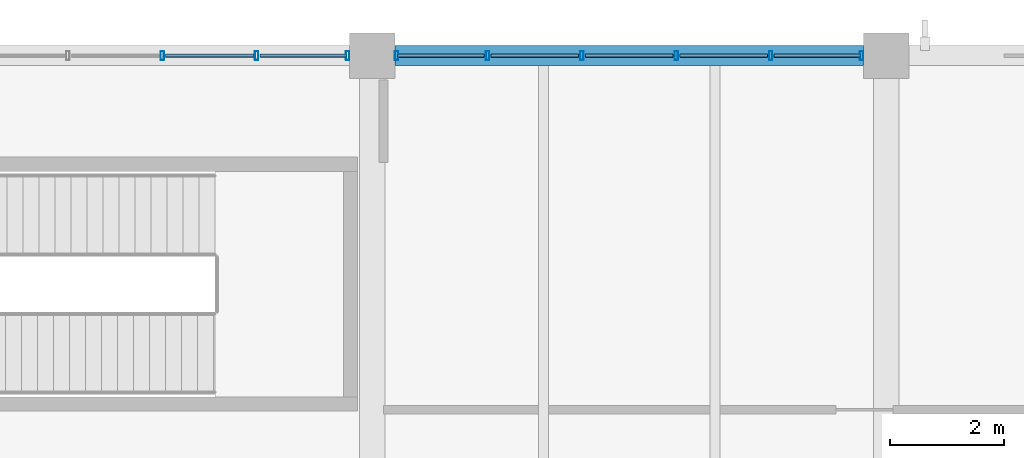
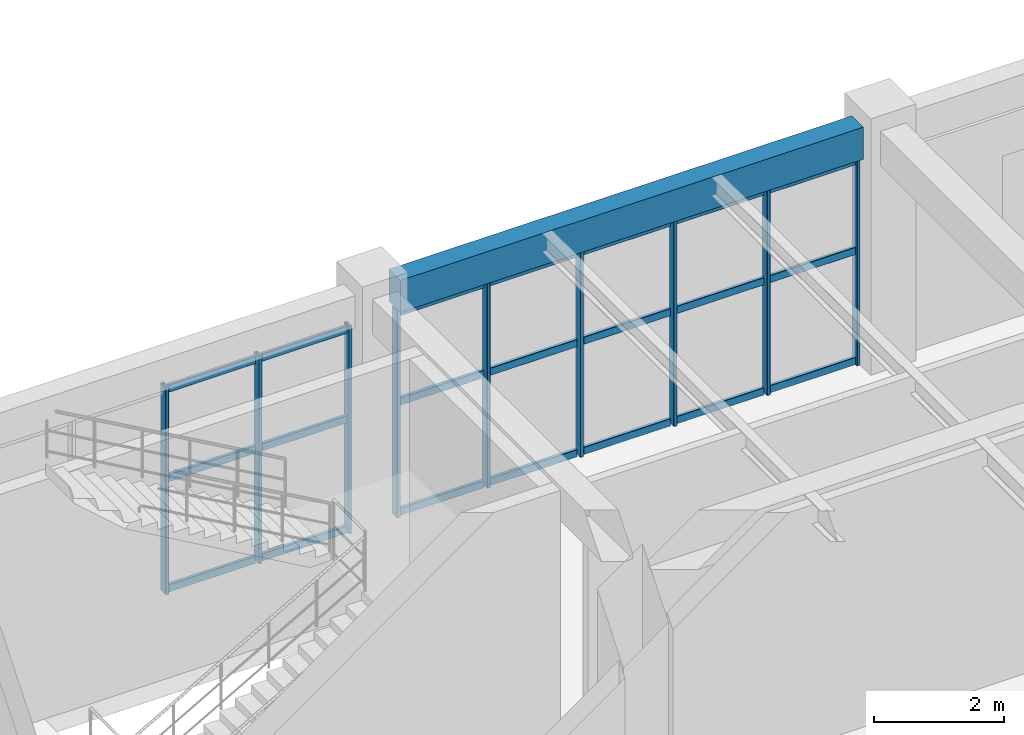
# One storey, part 96 of 178: 30 members, 1 beam, 2 elements without a shape of their own.
"""IFC4 building model written with IfcOpenShell, lengths in metres."""

from ifc_helpers import new_model, si_unit, derived_unit, direction, frame, origin, origin_2d, place, context, subcontext, project, spatial, rectangle, hollow_rectangle, extrude, material, material_profile, profile_set, type_object, element, aggregate, save


model = new_model("IFC4")

# Units and contexts
model_context = context("Model", 3, precision=1e-05, world=origin(), true_north=direction((0.0, 1.0)))
body_context = subcontext(model_context, "Body", "Model", "MODEL_VIEW")
ifc_project = project(units=[si_unit("LENGTHUNIT", "METRE"), si_unit("AREAUNIT", "SQUARE_METRE"), si_unit("VOLUMEUNIT", "CUBIC_METRE"), si_unit("PLANEANGLEUNIT", "RADIAN"), si_unit("MASSUNIT", "GRAM", prefix="KILO"), derived_unit("THERMALTRANSMITTANCEUNIT", [(si_unit("MASSUNIT", "GRAM", prefix="KILO"), 1), (si_unit("TIMEUNIT", "SECOND"), -3), (si_unit("THERMODYNAMICTEMPERATUREUNIT", "KELVIN"), -1)])], contexts=[model_context])

# Site, building, storey
site_placement = place(None, origin())
site = spatial("IfcSite", under=ifc_project, at=site_placement, CompositionType="ELEMENT")
building_placement = place(site_placement, origin())
building = spatial("IfcBuilding", under=site, at=building_placement, Name="Zhenchuan Archway Interchange", CompositionType="ELEMENT")
storey_placement = place(building_placement, frame((0.0, 0.0, 5.39990234375)))
storey = spatial("IfcBuildingStorey", under=building, at=storey_placement, Name="L01", CompositionType="ELEMENT", Elevation=5.39990234375)

# Curtain wall, members
ifc_material_1 = material(Name="Anodised Aluminium", Category="aluminium")
curtain_wall_type_1 = type_object("IfcCurtainWallType", Name="CW_UNIT_1", PredefinedType="NOTDEFINED", material=ifc_material_1)
curtain_wall_1_placement = place(storey_placement, origin())
curtain_wall_1 = element("IfcCurtainWall", 1, at=curtain_wall_1_placement, inside=storey, type_object=curtain_wall_type_1, Name="Unitised curtain wall CW:L01:048", PredefinedType="NOTDEFINED")
ifc_material_profile_1 = material_profile(ifc_material_1, hollow_rectangle(XDim=0.06005859375, YDim=0.159912109375, WallThickness=0.00390625, InnerFilletRadius=0.00390625, OuterFilletRadius=0.008056640625, at=origin_2d()), Name="ALU 160x60x4")
ifc_profile_set_1 = profile_set([ifc_material_profile_1], Name="Anodised Aluminium")
member_type_1 = type_object("IfcMemberType", Name="CW_MUL_150", PredefinedType="MULLION", material=ifc_profile_set_1)
member_1_placement = place(storey_placement, frame((32.326416015625, 112.0, 0.0), z_axis=(0.0, 0.0, 1.0), x_axis=(1.0, 0.0, 0.0)))
member_1 = element("IfcMember", 2, at=member_1_placement, type_object=member_type_1, Name="CW:L01:048 mullion 3", PredefinedType="MULLION", context=body_context, shape_type="SweptSolid", body=[
    extrude(hollow_rectangle(XDim=0.06005859375, YDim=0.159912109375, WallThickness=0.00390625, InnerFilletRadius=0.00390625, OuterFilletRadius=0.008056640625, at=origin_2d()), origin(), (0.0, 0.0, 1.0), 3.880126953125),
])
member_2_placement = place(storey_placement, frame((33.979248046875, 112.0, 0.0), z_axis=(0.0, 0.0, 1.0), x_axis=(1.0, 0.0, 0.0)))
member_2 = element("IfcMember", 3, at=member_2_placement, type_object=member_type_1, Name="CW:L01:048 mullion 4", PredefinedType="MULLION", context=body_context, shape_type="SweptSolid", body=[
    extrude(hollow_rectangle(XDim=0.06005859375, YDim=0.159912109375, WallThickness=0.00390625, InnerFilletRadius=0.00390625, OuterFilletRadius=0.008056640625, at=origin_2d()), origin(), (0.0, 0.0, 1.0), 3.880126953125),
])
member_3_placement = place(storey_placement, frame((35.572021484375, 112.0, 0.0), z_axis=(0.0, 0.0, 1.0), x_axis=(1.0, 0.0, 0.0)))
member_3 = element("IfcMember", 4, at=member_3_placement, type_object=member_type_1, Name="CW:L01:048 mullion 5", PredefinedType="MULLION", context=body_context, shape_type="SweptSolid", body=[
    extrude(hollow_rectangle(XDim=0.06005859375, YDim=0.159912109375, WallThickness=0.00390625, InnerFilletRadius=0.00390625, OuterFilletRadius=0.008056640625, at=origin_2d()), origin(), (0.0, 0.0, 1.0), 3.880126953125),
])

curtain_wall_type_2 = type_object("IfcCurtainWallType", Name="CW_UNIT_2", PredefinedType="NOTDEFINED", material=ifc_material_1)
curtain_wall_2_placement = place(storey_placement, origin())
curtain_wall_2 = element("IfcCurtainWall", 5, at=curtain_wall_2_placement, inside=storey, type_object=curtain_wall_type_2, Name="Unitised curtain wall CW:L01:049", PredefinedType="NOTDEFINED")
member_4_placement = place(storey_placement, frame((36.427978515625, 112.0, 0.0), z_axis=(0.0, 0.0, 1.0), x_axis=(1.0, 0.0, 0.0)))
member_4 = element("IfcMember", 6, at=member_4_placement, type_object=member_type_1, Name="CW:L01:049 mullion 0", PredefinedType="MULLION", context=body_context, shape_type="SweptSolid", body=[
    extrude(hollow_rectangle(XDim=0.06005859375, YDim=0.159912109375, WallThickness=0.00390625, InnerFilletRadius=0.00390625, OuterFilletRadius=0.008056640625, at=origin_2d()), origin(), (0.0, 0.0, 1.0), 3.880126953125),
])
member_5_placement = place(storey_placement, frame((38.020751953125, 112.0, 0.0), z_axis=(0.0, 0.0, 1.0), x_axis=(1.0, 0.0, 0.0)))
member_5 = element("IfcMember", 7, at=member_5_placement, type_object=member_type_1, Name="CW:L01:049 mullion 1", PredefinedType="MULLION", context=body_context, shape_type="SweptSolid", body=[
    extrude(hollow_rectangle(XDim=0.06005859375, YDim=0.159912109375, WallThickness=0.00390625, InnerFilletRadius=0.00390625, OuterFilletRadius=0.008056640625, at=origin_2d()), origin(), (0.0, 0.0, 1.0), 3.880126953125),
])
member_6_placement = place(storey_placement, frame((39.673583984375, 112.0, 0.0), z_axis=(0.0, 0.0, 1.0), x_axis=(1.0, 0.0, 0.0)))
member_6 = element("IfcMember", 8, at=member_6_placement, type_object=member_type_1, Name="CW:L01:049 mullion 2", PredefinedType="MULLION", context=body_context, shape_type="SweptSolid", body=[
    extrude(hollow_rectangle(XDim=0.06005859375, YDim=0.159912109375, WallThickness=0.00390625, InnerFilletRadius=0.00390625, OuterFilletRadius=0.008056640625, at=origin_2d()), origin(), (0.0, 0.0, 1.0), 3.880126953125),
])
member_7_placement = place(storey_placement, frame((41.326416015625, 112.0, 0.0), z_axis=(0.0, 0.0, 1.0), x_axis=(1.0, 0.0, 0.0)))
member_7 = element("IfcMember", 9, at=member_7_placement, type_object=member_type_1, Name="CW:L01:049 mullion 3", PredefinedType="MULLION", context=body_context, shape_type="SweptSolid", body=[
    extrude(hollow_rectangle(XDim=0.06005859375, YDim=0.159912109375, WallThickness=0.00390625, InnerFilletRadius=0.00390625, OuterFilletRadius=0.008056640625, at=origin_2d()), origin(), (0.0, 0.0, 1.0), 3.880126953125),
])
member_8_placement = place(storey_placement, frame((42.979248046875, 112.0, 0.0), z_axis=(0.0, 0.0, 1.0), x_axis=(1.0, 0.0, 0.0)))
member_8 = element("IfcMember", 10, at=member_8_placement, type_object=member_type_1, Name="CW:L01:049 mullion 4", PredefinedType="MULLION", context=body_context, shape_type="SweptSolid", body=[
    extrude(hollow_rectangle(XDim=0.06005859375, YDim=0.159912109375, WallThickness=0.00390625, InnerFilletRadius=0.00390625, OuterFilletRadius=0.008056640625, at=origin_2d()), origin(), (0.0, 0.0, 1.0), 3.880126953125),
])
member_9_placement = place(storey_placement, frame((44.572021484375, 112.0, 0.0), z_axis=(0.0, 0.0, 1.0), x_axis=(1.0, 0.0, 0.0)))
member_9 = element("IfcMember", 11, at=member_9_placement, type_object=member_type_1, Name="CW:L01:049 mullion 5", PredefinedType="MULLION", context=body_context, shape_type="SweptSolid", body=[
    extrude(hollow_rectangle(XDim=0.06005859375, YDim=0.159912109375, WallThickness=0.00390625, InnerFilletRadius=0.00390625, OuterFilletRadius=0.008056640625, at=origin_2d()), origin(), (0.0, 0.0, 1.0), 3.880126953125),
])

# Member
ifc_material_profile_2 = material_profile(ifc_material_1, hollow_rectangle(XDim=0.06005859375, YDim=0.139892578125, WallThickness=0.00341796875, InnerFilletRadius=0.00341796875, OuterFilletRadius=0.007080078125, at=origin_2d()), Name="ALU 140x60x3.5")
ifc_profile_set_2 = profile_set([ifc_material_profile_2], Name="Anodised Aluminium")
member_type_2 = type_object("IfcMemberType", Name="CW_TRN_140", PredefinedType="USERDEFINED", material=ifc_profile_set_2)
member_10_placement = place(storey_placement, frame((32.386474609375, 112.0, 0.06005859375), z_axis=(1.0, 0.0, 0.0), x_axis=(0.0, 1.0, 0.0)))
member_10 = element("IfcMember", 12, at=member_10_placement, type_object=member_type_2, Name="CW:L01:048 transom 3-1", ObjectType="TRANSOM", PredefinedType="USERDEFINED", context=body_context, shape_type="SweptSolid", body=[
    extrude(hollow_rectangle(XDim=0.06005859375, YDim=0.139892578125, WallThickness=0.00341796875, InnerFilletRadius=0.00341796875, OuterFilletRadius=0.007080078125, at=origin_2d()), origin(), (0.0, 0.0, 1.0), 1.53271484375),
])

member_11_placement = place(storey_placement, frame((32.386474609375, 112.0, 2.123046875), z_axis=(1.0, 0.0, 0.0), x_axis=(0.0, 1.0, 0.0)))
member_11 = element("IfcMember", 13, at=member_11_placement, type_object=member_type_2, Name="CW:L01:048 transom 3-2", ObjectType="TRANSOM", PredefinedType="USERDEFINED", context=body_context, shape_type="SweptSolid", body=[
    extrude(hollow_rectangle(XDim=0.06005859375, YDim=0.139892578125, WallThickness=0.00341796875, InnerFilletRadius=0.00341796875, OuterFilletRadius=0.007080078125, at=origin_2d()), origin(), (0.0, 0.0, 1.0), 1.53271484375),
])

member_12_placement = place(storey_placement, frame((32.386474609375, 112.0, 3.800048828125), z_axis=(1.0, 0.0, 0.0), x_axis=(0.0, 1.0, 0.0)))
member_12 = element("IfcMember", 14, at=member_12_placement, type_object=member_type_2, Name="CW:L01:048 transom 3-3", ObjectType="TRANSOM", PredefinedType="USERDEFINED", context=body_context, shape_type="SweptSolid", body=[
    extrude(hollow_rectangle(XDim=0.06005859375, YDim=0.139892578125, WallThickness=0.00341796875, InnerFilletRadius=0.00341796875, OuterFilletRadius=0.007080078125, at=origin_2d()), origin(), (0.0, 0.0, 1.0), 1.53271484375),
])

member_13_placement = place(storey_placement, frame((34.039306640625, 112.0, 0.06005859375), z_axis=(1.0, 0.0, 0.0), x_axis=(0.0, 1.0, 0.0)))
member_13 = element("IfcMember", 15, at=member_13_placement, type_object=member_type_2, Name="CW:L01:048 transom 4-1", ObjectType="TRANSOM", PredefinedType="USERDEFINED", context=body_context, shape_type="SweptSolid", body=[
    extrude(hollow_rectangle(XDim=0.06005859375, YDim=0.139892578125, WallThickness=0.00341796875, InnerFilletRadius=0.00341796875, OuterFilletRadius=0.007080078125, at=origin_2d()), origin(), (0.0, 0.0, 1.0), 1.5126953125),
])

member_14_placement = place(storey_placement, frame((34.039306640625, 112.0, 2.123046875), z_axis=(1.0, 0.0, 0.0), x_axis=(0.0, 1.0, 0.0)))
member_14 = element("IfcMember", 16, at=member_14_placement, type_object=member_type_2, Name="CW:L01:048 transom 4-2", ObjectType="TRANSOM", PredefinedType="USERDEFINED", context=body_context, shape_type="SweptSolid", body=[
    extrude(hollow_rectangle(XDim=0.06005859375, YDim=0.139892578125, WallThickness=0.00341796875, InnerFilletRadius=0.00341796875, OuterFilletRadius=0.007080078125, at=origin_2d()), origin(), (0.0, 0.0, 1.0), 1.5126953125),
])

member_15_placement = place(storey_placement, frame((34.039306640625, 112.0, 3.800048828125), z_axis=(1.0, 0.0, 0.0), x_axis=(0.0, 1.0, 0.0)))
member_15 = element("IfcMember", 17, at=member_15_placement, type_object=member_type_2, Name="CW:L01:048 transom 4-3", ObjectType="TRANSOM", PredefinedType="USERDEFINED", context=body_context, shape_type="SweptSolid", body=[
    extrude(hollow_rectangle(XDim=0.06005859375, YDim=0.139892578125, WallThickness=0.00341796875, InnerFilletRadius=0.00341796875, OuterFilletRadius=0.007080078125, at=origin_2d()), origin(), (0.0, 0.0, 1.0), 1.5126953125),
])

aggregate(curtain_wall_1, [member_1, member_2, member_3, member_10, member_11, member_12, member_13, member_14, member_15])

member_16_placement = place(storey_placement, frame((36.447998046875, 112.0, 0.06005859375), z_axis=(1.0, 0.0, 0.0), x_axis=(0.0, 1.0, 0.0)))
member_16 = element("IfcMember", 18, at=member_16_placement, type_object=member_type_2, Name="CW:L01:049 transom 0-1", ObjectType="TRANSOM", PredefinedType="USERDEFINED", context=body_context, shape_type="SweptSolid", body=[
    extrude(hollow_rectangle(XDim=0.06005859375, YDim=0.139892578125, WallThickness=0.00341796875, InnerFilletRadius=0.00341796875, OuterFilletRadius=0.007080078125, at=origin_2d()), origin(), (0.0, 0.0, 1.0), 1.5126953125),
])

member_17_placement = place(storey_placement, frame((36.447998046875, 112.0, 2.123046875), z_axis=(1.0, 0.0, 0.0), x_axis=(0.0, 1.0, 0.0)))
member_17 = element("IfcMember", 19, at=member_17_placement, type_object=member_type_2, Name="CW:L01:049 transom 0-2", ObjectType="TRANSOM", PredefinedType="USERDEFINED", context=body_context, shape_type="SweptSolid", body=[
    extrude(hollow_rectangle(XDim=0.06005859375, YDim=0.139892578125, WallThickness=0.00341796875, InnerFilletRadius=0.00341796875, OuterFilletRadius=0.007080078125, at=origin_2d()), origin(), (0.0, 0.0, 1.0), 1.5126953125),
])

member_18_placement = place(storey_placement, frame((36.447998046875, 112.0, 3.800048828125), z_axis=(1.0, 0.0, 0.0), x_axis=(0.0, 1.0, 0.0)))
member_18 = element("IfcMember", 20, at=member_18_placement, type_object=member_type_2, Name="CW:L01:049 transom 0-3", ObjectType="TRANSOM", PredefinedType="USERDEFINED", context=body_context, shape_type="SweptSolid", body=[
    extrude(hollow_rectangle(XDim=0.06005859375, YDim=0.139892578125, WallThickness=0.00341796875, InnerFilletRadius=0.00341796875, OuterFilletRadius=0.007080078125, at=origin_2d()), origin(), (0.0, 0.0, 1.0), 1.5126953125),
])

member_19_placement = place(storey_placement, frame((38.080810546875, 112.0, 0.06005859375), z_axis=(1.0, 0.0, 0.0), x_axis=(0.0, 1.0, 0.0)))
member_19 = element("IfcMember", 21, at=member_19_placement, type_object=member_type_2, Name="CW:L01:049 transom 1-1", ObjectType="TRANSOM", PredefinedType="USERDEFINED", context=body_context, shape_type="SweptSolid", body=[
    extrude(hollow_rectangle(XDim=0.06005859375, YDim=0.139892578125, WallThickness=0.00341796875, InnerFilletRadius=0.00341796875, OuterFilletRadius=0.007080078125, at=origin_2d()), origin(), (0.0, 0.0, 1.0), 1.53271484375),
])

member_20_placement = place(storey_placement, frame((38.080810546875, 112.0, 2.123046875), z_axis=(1.0, 0.0, 0.0), x_axis=(0.0, 1.0, 0.0)))
member_20 = element("IfcMember", 22, at=member_20_placement, type_object=member_type_2, Name="CW:L01:049 transom 1-2", ObjectType="TRANSOM", PredefinedType="USERDEFINED", context=body_context, shape_type="SweptSolid", body=[
    extrude(hollow_rectangle(XDim=0.06005859375, YDim=0.139892578125, WallThickness=0.00341796875, InnerFilletRadius=0.00341796875, OuterFilletRadius=0.007080078125, at=origin_2d()), origin(), (0.0, 0.0, 1.0), 1.53271484375),
])

member_21_placement = place(storey_placement, frame((38.080810546875, 112.0, 3.800048828125), z_axis=(1.0, 0.0, 0.0), x_axis=(0.0, 1.0, 0.0)))
member_21 = element("IfcMember", 23, at=member_21_placement, type_object=member_type_2, Name="CW:L01:049 transom 1-3", ObjectType="TRANSOM", PredefinedType="USERDEFINED", context=body_context, shape_type="SweptSolid", body=[
    extrude(hollow_rectangle(XDim=0.06005859375, YDim=0.139892578125, WallThickness=0.00341796875, InnerFilletRadius=0.00341796875, OuterFilletRadius=0.007080078125, at=origin_2d()), origin(), (0.0, 0.0, 1.0), 1.53271484375),
])

member_22_placement = place(storey_placement, frame((39.733642578125, 112.0, 0.06005859375), z_axis=(1.0, 0.0, 0.0), x_axis=(0.0, 1.0, 0.0)))
member_22 = element("IfcMember", 24, at=member_22_placement, type_object=member_type_2, Name="CW:L01:049 transom 2-1", ObjectType="TRANSOM", PredefinedType="USERDEFINED", context=body_context, shape_type="SweptSolid", body=[
    extrude(hollow_rectangle(XDim=0.06005859375, YDim=0.139892578125, WallThickness=0.00341796875, InnerFilletRadius=0.00341796875, OuterFilletRadius=0.007080078125, at=origin_2d()), origin(), (0.0, 0.0, 1.0), 1.53271484375),
])

member_23_placement = place(storey_placement, frame((39.733642578125, 112.0, 2.123046875), z_axis=(1.0, 0.0, 0.0), x_axis=(0.0, 1.0, 0.0)))
member_23 = element("IfcMember", 25, at=member_23_placement, type_object=member_type_2, Name="CW:L01:049 transom 2-2", ObjectType="TRANSOM", PredefinedType="USERDEFINED", context=body_context, shape_type="SweptSolid", body=[
    extrude(hollow_rectangle(XDim=0.06005859375, YDim=0.139892578125, WallThickness=0.00341796875, InnerFilletRadius=0.00341796875, OuterFilletRadius=0.007080078125, at=origin_2d()), origin(), (0.0, 0.0, 1.0), 1.53271484375),
])

member_24_placement = place(storey_placement, frame((39.733642578125, 112.0, 3.800048828125), z_axis=(1.0, 0.0, 0.0), x_axis=(0.0, 1.0, 0.0)))
member_24 = element("IfcMember", 26, at=member_24_placement, type_object=member_type_2, Name="CW:L01:049 transom 2-3", ObjectType="TRANSOM", PredefinedType="USERDEFINED", context=body_context, shape_type="SweptSolid", body=[
    extrude(hollow_rectangle(XDim=0.06005859375, YDim=0.139892578125, WallThickness=0.00341796875, InnerFilletRadius=0.00341796875, OuterFilletRadius=0.007080078125, at=origin_2d()), origin(), (0.0, 0.0, 1.0), 1.53271484375),
])

member_25_placement = place(storey_placement, frame((41.386474609375, 112.0, 0.06005859375), z_axis=(1.0, 0.0, 0.0), x_axis=(0.0, 1.0, 0.0)))
member_25 = element("IfcMember", 27, at=member_25_placement, type_object=member_type_2, Name="CW:L01:049 transom 3-1", ObjectType="TRANSOM", PredefinedType="USERDEFINED", context=body_context, shape_type="SweptSolid", body=[
    extrude(hollow_rectangle(XDim=0.06005859375, YDim=0.139892578125, WallThickness=0.00341796875, InnerFilletRadius=0.00341796875, OuterFilletRadius=0.007080078125, at=origin_2d()), origin(), (0.0, 0.0, 1.0), 1.53271484375),
])

member_26_placement = place(storey_placement, frame((41.386474609375, 112.0, 2.123046875), z_axis=(1.0, 0.0, 0.0), x_axis=(0.0, 1.0, 0.0)))
member_26 = element("IfcMember", 28, at=member_26_placement, type_object=member_type_2, Name="CW:L01:049 transom 3-2", ObjectType="TRANSOM", PredefinedType="USERDEFINED", context=body_context, shape_type="SweptSolid", body=[
    extrude(hollow_rectangle(XDim=0.06005859375, YDim=0.139892578125, WallThickness=0.00341796875, InnerFilletRadius=0.00341796875, OuterFilletRadius=0.007080078125, at=origin_2d()), origin(), (0.0, 0.0, 1.0), 1.53271484375),
])

member_27_placement = place(storey_placement, frame((41.386474609375, 112.0, 3.800048828125), z_axis=(1.0, 0.0, 0.0), x_axis=(0.0, 1.0, 0.0)))
member_27 = element("IfcMember", 29, at=member_27_placement, type_object=member_type_2, Name="CW:L01:049 transom 3-3", ObjectType="TRANSOM", PredefinedType="USERDEFINED", context=body_context, shape_type="SweptSolid", body=[
    extrude(hollow_rectangle(XDim=0.06005859375, YDim=0.139892578125, WallThickness=0.00341796875, InnerFilletRadius=0.00341796875, OuterFilletRadius=0.007080078125, at=origin_2d()), origin(), (0.0, 0.0, 1.0), 1.53271484375),
])

member_28_placement = place(storey_placement, frame((43.039306640625, 112.0, 0.06005859375), z_axis=(1.0, 0.0, 0.0), x_axis=(0.0, 1.0, 0.0)))
member_28 = element("IfcMember", 30, at=member_28_placement, type_object=member_type_2, Name="CW:L01:049 transom 4-1", ObjectType="TRANSOM", PredefinedType="USERDEFINED", context=body_context, shape_type="SweptSolid", body=[
    extrude(hollow_rectangle(XDim=0.06005859375, YDim=0.139892578125, WallThickness=0.00341796875, InnerFilletRadius=0.00341796875, OuterFilletRadius=0.007080078125, at=origin_2d()), origin(), (0.0, 0.0, 1.0), 1.5126953125),
])

member_29_placement = place(storey_placement, frame((43.039306640625, 112.0, 2.123046875), z_axis=(1.0, 0.0, 0.0), x_axis=(0.0, 1.0, 0.0)))
member_29 = element("IfcMember", 31, at=member_29_placement, type_object=member_type_2, Name="CW:L01:049 transom 4-2", ObjectType="TRANSOM", PredefinedType="USERDEFINED", context=body_context, shape_type="SweptSolid", body=[
    extrude(hollow_rectangle(XDim=0.06005859375, YDim=0.139892578125, WallThickness=0.00341796875, InnerFilletRadius=0.00341796875, OuterFilletRadius=0.007080078125, at=origin_2d()), origin(), (0.0, 0.0, 1.0), 1.5126953125),
])

member_30_placement = place(storey_placement, frame((43.039306640625, 112.0, 3.800048828125), z_axis=(1.0, 0.0, 0.0), x_axis=(0.0, 1.0, 0.0)))
member_30 = element("IfcMember", 32, at=member_30_placement, type_object=member_type_2, Name="CW:L01:049 transom 4-3", ObjectType="TRANSOM", PredefinedType="USERDEFINED", context=body_context, shape_type="SweptSolid", body=[
    extrude(hollow_rectangle(XDim=0.06005859375, YDim=0.139892578125, WallThickness=0.00341796875, InnerFilletRadius=0.00341796875, OuterFilletRadius=0.007080078125, at=origin_2d()), origin(), (0.0, 0.0, 1.0), 1.5126953125),
])

aggregate(curtain_wall_2, [member_4, member_5, member_6, member_7, member_8, member_9, member_16, member_17, member_18, member_19, member_20, member_21, member_22, member_23, member_24, member_25, member_26, member_27, member_28, member_29, member_30])

# Beam
ifc_material_2 = material(Name="Concrete C40", Category="concrete")
ifc_material_profile_3 = material_profile(ifc_material_2, rectangle(XDim=0.35009765625, YDim=0.60009765625, at=origin_2d()), Name="RC 350x600")
ifc_profile_set_3 = profile_set([ifc_material_profile_3], Name="Concrete C40")
beam_type = type_object("IfcBeamType", Name="SP_RC_350x600", PredefinedType="SPANDREL", material=ifc_profile_set_3)
beam_placement = place(storey_placement, frame((36.39990234375, 112.0, 4.210205078125), z_axis=(1.0, 0.0, 0.0), x_axis=(0.0, 1.0, 0.0)))
element("IfcBeam", 33, at=beam_placement, inside=storey, type_object=beam_type, Name="Beam P:5-6 (L01)", PredefinedType="SPANDREL", context=body_context, shape_type="SweptSolid", body=[
    extrude(rectangle(XDim=0.35009765625, YDim=0.60009765625, at=origin_2d()), origin(), (0.0, 0.0, 1.0), 8.2001953125),
])

save(model, "model.ifc")
